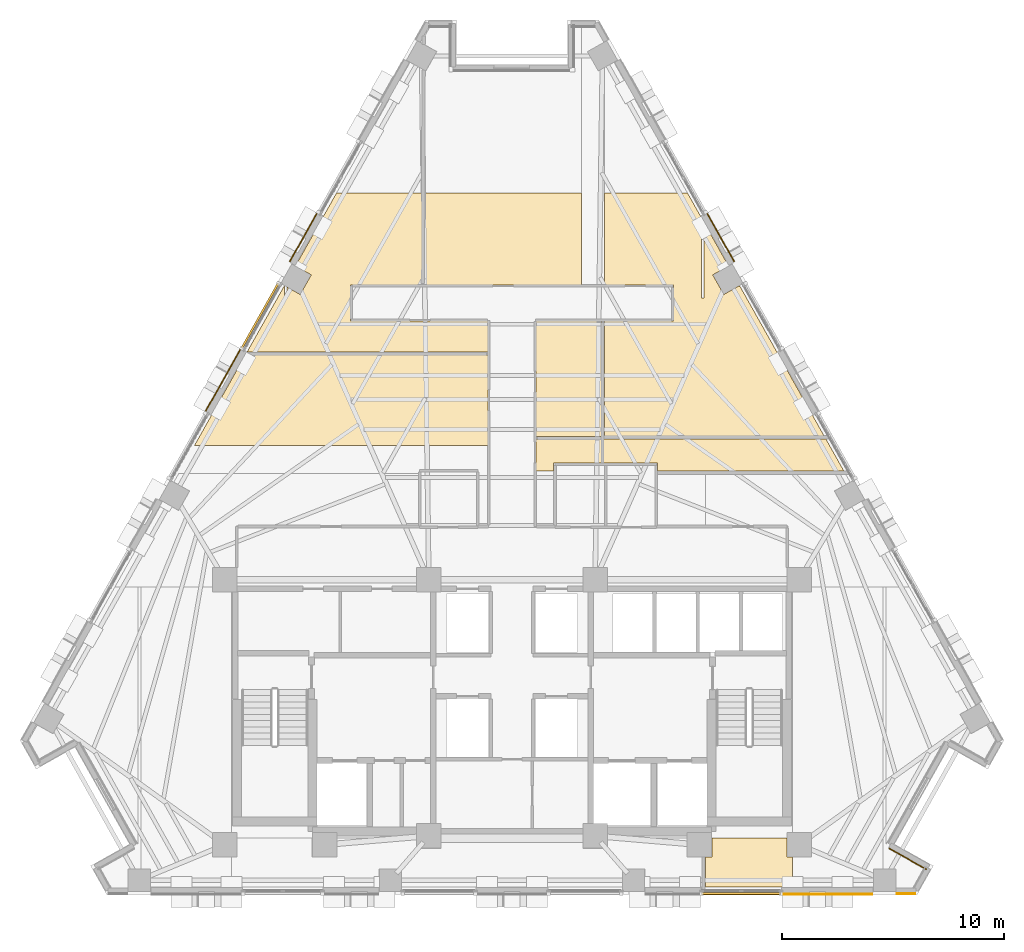
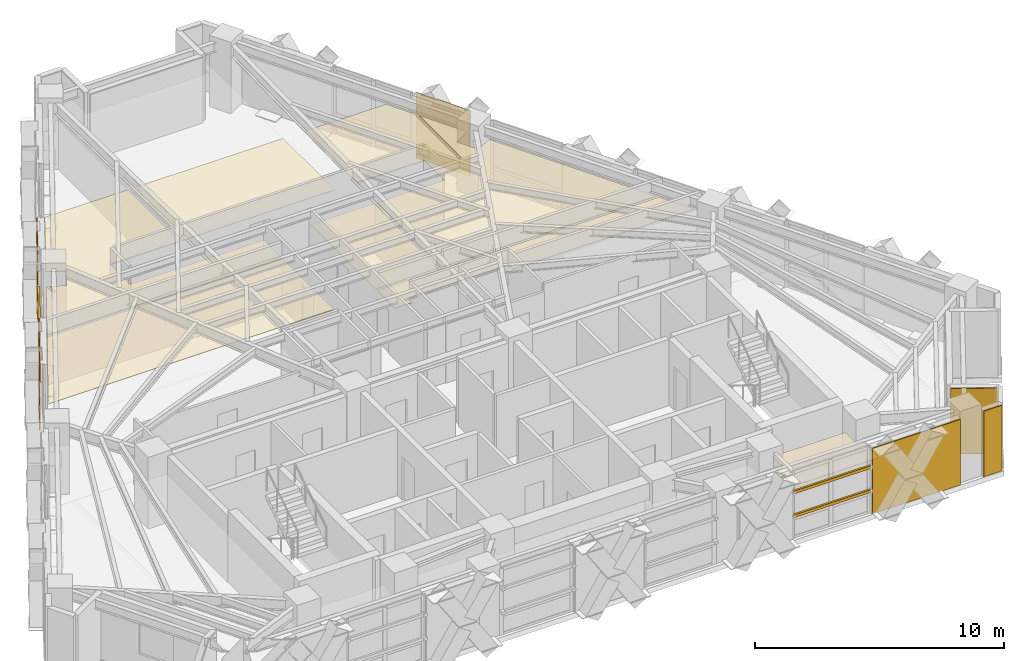
# One storey, part 12 of 14: 13 coverings, 4 shading devices.
"""IFC4 building model written with IfcOpenShell, lengths in metres."""

from ifc_helpers import new_model, si_unit, direction, frame, origin, origin_2d, place, context, subcontext, project, spatial, polyline, rectangle, outline, extrude, material, layer, layer_set, material_profile, profile_set, type_object, element, save


model = new_model("IFC4")

# Units and contexts
model_context = context("Model", 3, precision=1e-05, world=origin(), true_north=direction((0.0, 1.0)))
body_context = subcontext(model_context, "Body", "Model", "MODEL_VIEW")
ifc_project = project(units=[si_unit("LENGTHUNIT", "METRE"), si_unit("AREAUNIT", "SQUARE_METRE"), si_unit("VOLUMEUNIT", "CUBIC_METRE"), si_unit("PLANEANGLEUNIT", "RADIAN"), si_unit("MASSUNIT", "GRAM", prefix="KILO")], contexts=[model_context])

# Site, building, storey
site_placement = place(None, origin())
site = spatial("IfcSite", under=ifc_project, at=site_placement, CompositionType="ELEMENT")
building_placement = place(site_placement, origin())
building = spatial("IfcBuilding", under=site, at=building_placement, Name="Quenlor Broadcast Tower", CompositionType="ELEMENT")
storey_placement = place(building_placement, frame((0.0, 0.0, 165.0)))
storey = spatial("IfcBuildingStorey", under=building, at=storey_placement, Name="L45", CompositionType="ELEMENT", Elevation=165.0)

# Coverings
ifc_material_1 = material(Name="Acoustic Mineral Fibre Board", Category="other")
ifc_layer_1 = layer(ifc_material_1, 0.02490234375)
ifc_layer_set_1 = layer_set([ifc_layer_1], Name="Acoustic Perforated Mineral Tile Ceiling 25")
covering_type_1 = type_object("IfcCoveringType", Name="Acoustic Perforated Mineral Tile Ceiling 25", PredefinedType="CEILING", material=ifc_layer_set_1)
covering_1_placement = place(storey_placement, frame((0.0, 0.0, 2.375)))
element("IfcCovering", 1, at=covering_1_placement, inside=storey, type_object=covering_type_1, Name="L45 Acoustic Ceiling L45-29", PredefinedType="CEILING", context=body_context, shape_type="SweptSolid", body=[
    extrude(outline(polyline([(3.139892578125, 8.47998046875), (-3.93994140625, 8.47998046875), (-3.93994140625, 12.64990234375), (3.139892578125, 12.64990234375), (3.139892578125, 8.47998046875)])), origin(), (0.0, 0.0, 1.0), 0.02490234375),
])
covering_2_placement = place(storey_placement, frame((0.0, 0.0, 2.375)))
element("IfcCovering", 2, at=covering_2_placement, inside=storey, type_object=covering_type_1, Name="L45 Acoustic Ceiling L45-32", PredefinedType="CEILING", context=body_context, shape_type="SweptSolid", body=[
    extrude(outline(polyline([(4.0400390625, 1.659912109375), (1.080078125, 1.659912109375), (1.080078125, 6.8701171875), (4.0400390625, 6.8701171875), (4.0400390625, 1.659912109375)])), origin(), (0.0, 0.0, 1.0), 0.02490234375),
])
covering_3_placement = place(storey_placement, frame((0.0, 0.0, 2.375)))
element("IfcCovering", 3, at=covering_3_placement, inside=storey, type_object=covering_type_1, Name="L45 Acoustic Ceiling L45-33", PredefinedType="CEILING", context=body_context, shape_type="SweptSolid", body=[
    extrude(outline(polyline([(-14.313720703125, 1.260009765625), (-12.018798828125, 5.340087890625), (-1.080078125, 5.340087890625), (-1.080078125, 1.260009765625), (-14.313720703125, 1.260009765625)])), origin(), (0.0, 0.0, 1.0), 0.02490234375),
])
covering_4_placement = place(storey_placement, frame((0.0, 0.0, 2.375)))
element("IfcCovering", 4, at=covering_4_placement, inside=storey, type_object=covering_type_1, Name="L45 Acoustic Ceiling L45-34", PredefinedType="CEILING", context=body_context, shape_type="SweptSolid", body=[
    extrude(outline(polyline([(1.080078125, 0.103759765625), (1.080078125, 1.5400390625), (14.15625, 1.5400390625), (14.964111328125, 0.103759765625), (6.570068359375, 0.103759765625), (6.570068359375, 0.469970703125), (1.8798828125, 0.469970703125), (1.8798828125, 0.103759765625), (1.080078125, 0.103759765625)])), origin(), (0.0, 0.0, 1.0), 0.02490234375),
])
covering_5_placement = place(storey_placement, frame((0.0, 0.0, 2.375)))
element("IfcCovering", 5, at=covering_5_placement, inside=storey, type_object=covering_type_1, Name="L45 Acoustic Ceiling L45-35-4", PredefinedType="CEILING", context=body_context, shape_type="SweptSolid", body=[
    extrude(outline(polyline([(8.71435546875, -18.659912109375), (8.71435546875, -17.30810546875), (9.008056640625, -17.30810546875), (9.008056640625, -16.449951171875), (12.39208984375, -16.449951171875), (12.39208984375, -17.30810546875), (12.64990234375, -17.30810546875), (12.64990234375, -18.659912109375), (8.71435546875, -18.659912109375)])), origin(), (0.0, 0.0, 1.0), 0.02490234375),
])
ifc_material_2 = material(Name="Acoustic Gypsum Board", Category="other")
ifc_layer_2 = layer(ifc_material_2, 0.0400390625)
ifc_layer_set_2 = layer_set([ifc_layer_2], Name="Broadcast Studio Spring Isolated Ceiling 40")
covering_type_2 = type_object("IfcCoveringType", Name="Broadcast Studio Spring Isolated Ceiling 40", PredefinedType="CEILING", material=ifc_layer_set_2)
covering_6_placement = place(storey_placement, frame((0.0, 0.0, 2.360107421875)))
element("IfcCovering", 6, at=covering_6_placement, inside=storey, type_object=covering_type_2, Name="L45 Acoustic Ceiling L45-30", PredefinedType="CEILING", context=body_context, shape_type="SweptSolid", body=[
    extrude(outline(polyline([(-10.139892578125, 8.393798828125), (-9.54931640625, 8.0615234375), (-9.05126953125, 8.947021484375), (-9.76416015625, 9.347900390625), (-7.90673828125, 12.64990234375), (-4.06005859375, 12.64990234375), (-4.06005859375, 8.47998046875), (-7.280029296875, 8.47998046875), (-7.280029296875, 6.8701171875), (-1.080078125, 6.8701171875), (-1.080078125, 5.4599609375), (-11.951171875, 5.4599609375), (-10.26220703125, 8.46240234375), (-10.260009765625, 7.89990234375), (-10.139892578125, 7.89990234375), (-10.139892578125, 8.393798828125)])), origin(), (0.0, 0.0, 1.0), 0.039794921875),
])
covering_7_placement = place(storey_placement, frame((0.0, 0.0, 2.360107421875)))
element("IfcCovering", 7, at=covering_7_placement, inside=storey, type_object=covering_type_2, Name="L45 Acoustic Ceiling L45-31", PredefinedType="CEILING", context=body_context, shape_type="SweptSolid", body=[
    extrude(outline(polyline([(8.659912109375, 11.310791015625), (9.76416015625, 9.347900390625), (9.05126953125, 8.947021484375), (9.54931640625, 8.0615234375), (10.26220703125, 8.46240234375), (14.088623046875, 1.659912109375), (4.159912109375, 1.659912109375), (4.159912109375, 6.8701171875), (7.280029296875, 6.8701171875), (7.280029296875, 8.47998046875), (4.159912109375, 8.47998046875), (4.159912109375, 12.64990234375), (7.90673828125, 12.64990234375), (8.5400390625, 11.5244140625), (8.5400390625, 7.89990234375), (8.659912109375, 7.89990234375), (8.659912109375, 11.310791015625)])), origin(), (0.0, 0.0, 1.0), 0.039794921875),
])

# Shading devices
ifc_material_3 = material(Name="Architectural Terracotta Ceramic", Category="masonry")
ifc_material_profile = material_profile(ifc_material_3, rectangle(XDim=0.090087890625, YDim=0.139892578125, at=origin_2d()))
ifc_profile_set = profile_set([ifc_material_profile], Name="Architectural Terracotta Ceramic BAG90x140")
shading_device_type = type_object("IfcShadingDeviceType", Name="Copper Terracotta Baguette Solar Screen 140", PredefinedType="USERDEFINED", material=ifc_profile_set)
for number, where, z_axis, x_axis, name in (
    (8, (12.114013671875, -18.952880859375, 1.169921875), (-1.0, 0.0, 0.0), (0.0, -1.0, 0.0), "L45 Terracotta Baguette Screen 1"),
    (9, (12.114013671875, -18.952880859375, 2.340087890625), (-1.0, 0.0, 0.0), (0.0, -1.0, 0.0), "L45 Terracotta Baguette Screen 2"),
):
    element("IfcShadingDevice", number, at=place(storey_placement, frame(where, z_axis=z_axis, x_axis=x_axis)), inside=storey, type_object=shading_device_type, Name=name, ObjectType="BAGUETTE", PredefinedType="USERDEFINED", context=body_context, shape_type="SweptSolid", body=[
        extrude(rectangle(XDim=0.090087890625, YDim=0.139892578125, at=origin_2d()), origin(), (0.0, 0.0, 1.0), 3.56396484375),
    ])
for number, where, z_axis, x_axis, name in (
    (10, (-12.18310546875, 5.64501953125, 1.169921875), (0.490257780007, 0.871577483155, 0.0), (-0.871577483155, 0.490257780007, 0.0), "L45 Terracotta Baguette Screen 1"),
    (11, (-12.18310546875, 5.64501953125, 2.340087890625), (0.490257780007, 0.871577483155, 0.0), (-0.871577483155, 0.490257780007, 0.0), "L45 Terracotta Baguette Screen 2"),
):
    element("IfcShadingDevice", number, at=place(storey_placement, frame(where, z_axis=z_axis, x_axis=x_axis)), inside=storey, type_object=shading_device_type, Name=name, ObjectType="BAGUETTE", PredefinedType="USERDEFINED", context=body_context, shape_type="SweptSolid", body=[
        extrude(rectangle(XDim=0.090087890625, YDim=0.139892578125, at=origin_2d()), origin(), (0.0, 0.0, 1.0), 3.350341796875),
    ])

# Coverings
ifc_material_4 = material(Name="Architectural Terracotta Ceramic", Category="masonry")
ifc_layer_3 = layer(ifc_material_4, 0.044921875)
ifc_layer_set_3 = layer_set([ifc_layer_3], Name="Fluted Terracotta Rainscreen Cladding Panel")
covering_type_3 = type_object("IfcCoveringType", Name="Fluted Terracotta Rainscreen Cladding Panel", PredefinedType="CLADDING", material=ifc_layer_set_3)
covering_8_placement = place(storey_placement, frame((0.0, 0.0, 0.02001953125)))
element("IfcCovering", 12, at=covering_8_placement, inside=storey, type_object=covering_type_3, Name="L45 Terracotta Rainscreen Cladding L45-SHD-SS0", PredefinedType="CLADDING", context=body_context, shape_type="SweptSolid", body=[
    extrude(outline(polyline([(18.179931640625, -18.93701171875), (17.343505859375, -18.93701171875), (17.343505859375, -18.98193359375), (18.179931640625, -18.98193359375), (18.179931640625, -18.93701171875)])), origin(), (0.0, 0.0, 1.0), 3.2099609375),
])
covering_9_placement = place(storey_placement, frame((0.0, 0.0, 0.02001953125)))
element("IfcCovering", 13, at=covering_9_placement, inside=storey, type_object=covering_type_3, Name="L45 Terracotta Rainscreen Cladding L45-SA-SP1", PredefinedType="CLADDING", context=body_context, shape_type="SweptSolid", body=[
    extrude(outline(polyline([(16.25341796875, -18.95703125), (12.178955078125, -18.95703125), (12.178955078125, -19.001953125), (16.25341796875, -19.001953125), (16.25341796875, -18.95703125)])), origin(), (0.0, 0.0, 1.0), 3.2099609375),
])
covering_10_placement = place(storey_placement, frame((0.0, 0.0, 0.02001953125)))
element("IfcCovering", 14, at=covering_10_placement, inside=storey, type_object=covering_type_3, Name="L45 Terracotta Rainscreen Cladding L45-NEA-SP2", PredefinedType="CLADDING", context=body_context, shape_type="SweptSolid", body=[
    extrude(outline(polyline([(8.7705078125, 11.720458984375), (10.0, 9.53466796875), (10.039306640625, 9.556640625), (8.809814453125, 11.742431640625), (8.7705078125, 11.720458984375)])), origin(), (0.0, 0.0, 1.0), 3.2099609375),
])
covering_11_placement = place(storey_placement, frame((0.0, 0.0, 0.02001953125)))
element("IfcCovering", 15, at=covering_11_placement, inside=storey, type_object=covering_type_3, Name="L45 Terracotta Rainscreen Cladding L45-NWC-SP1", PredefinedType="CLADDING", context=body_context, shape_type="SweptSolid", body=[
    extrude(outline(polyline([(-10.0, 9.53466796875), (-8.7705078125, 11.720458984375), (-8.809814453125, 11.742431640625), (-10.039306640625, 9.556640625), (-10.0, 9.53466796875)])), origin(), (0.0, 0.0, 1.0), 3.2099609375),
])
covering_12_placement = place(storey_placement, frame((0.0, 0.0, 0.02001953125)))
element("IfcCovering", 16, at=covering_12_placement, inside=storey, type_object=covering_type_3, Name="L45 Terracotta Rainscreen Cladding L45-NW-SP1", PredefinedType="CLADDING", context=body_context, shape_type="SweptSolid", body=[
    extrude(outline(polyline([(-13.806396484375, 2.767333984375), (-12.218505859375, 5.59033203125), (-12.2578125, 5.6123046875), (-13.845703125, 2.789306640625), (-13.806396484375, 2.767333984375)])), origin(), (0.0, 0.0, 1.0), 3.2099609375),
])
covering_13_placement = place(storey_placement, frame((0.0, 0.0, 0.02001953125)))
element("IfcCovering", 17, at=covering_13_placement, inside=storey, type_object=covering_type_3, Name="L45 Terracotta Rainscreen Cladding L45-CNR-01", PredefinedType="CLADDING", context=body_context, shape_type="SweptSolid", body=[
    extrude(outline(polyline([(18.702880859375, -17.8427734375), (17.011962890625, -16.8916015625), (16.989990234375, -16.930908203125), (18.680908203125, -17.882080078125), (18.702880859375, -17.8427734375)])), origin(), (0.0, 0.0, 1.0), 3.2099609375),
])

save(model, "model.ifc")
